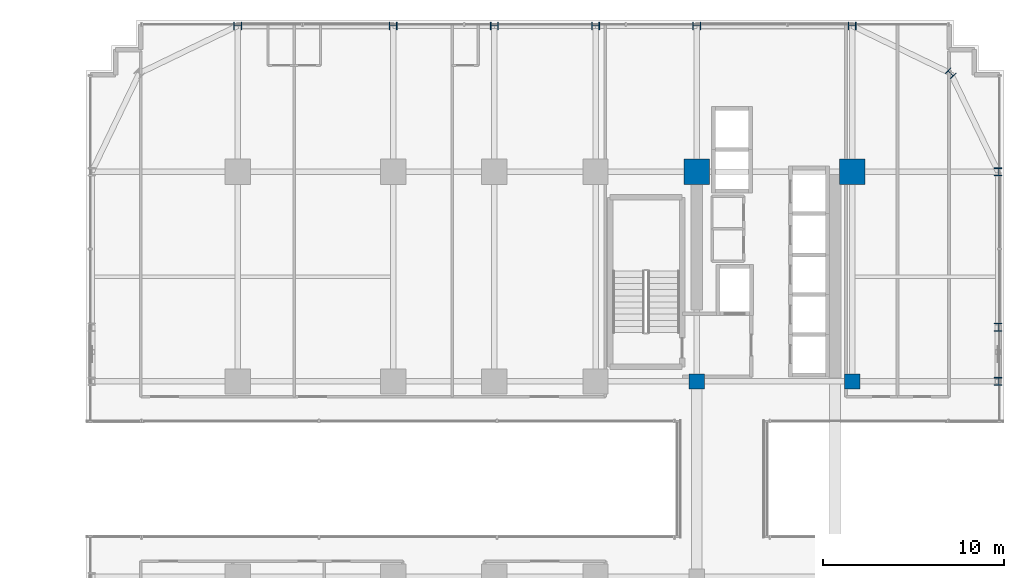
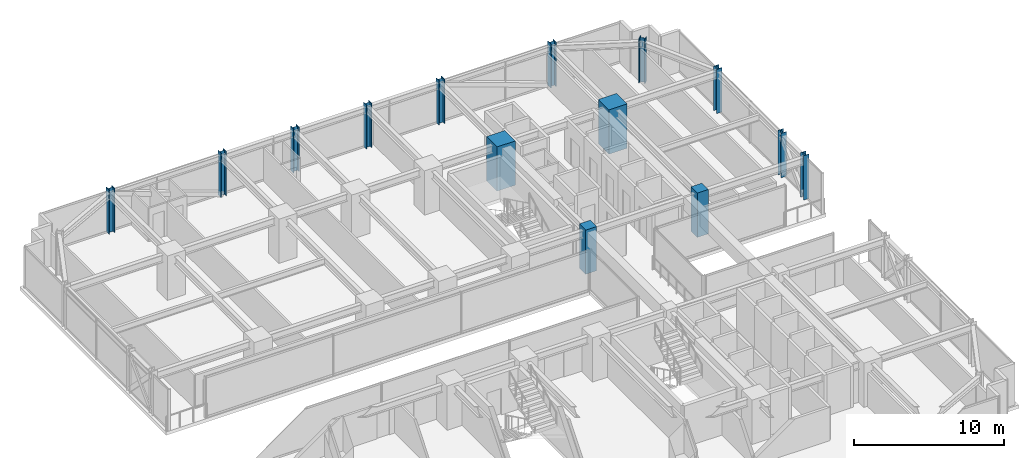
# One storey, part 2 of 38: 14 columns.
"""IFC4 building model written with IfcOpenShell, lengths in metres."""

from ifc_helpers import new_model, si_unit, direction, frame, origin, origin_2d, place, context, subcontext, project, spatial, rectangle, i_section, extrude, source, transform, mapped, material, material_profile, profile_set, type_object, element, save


model = new_model("IFC4")

# Units and contexts
model_context = context("Model", 3, precision=1e-05, world=origin(), true_north=direction((0.0, 1.0)))
body_context = subcontext(model_context, "Body", "Model", "MODEL_VIEW")
ifc_project = project(units=[si_unit("LENGTHUNIT", "METRE"), si_unit("AREAUNIT", "SQUARE_METRE"), si_unit("VOLUMEUNIT", "CUBIC_METRE"), si_unit("PLANEANGLEUNIT", "RADIAN"), si_unit("MASSUNIT", "GRAM", prefix="KILO")], contexts=[model_context])

# Site, building, storey
site_placement = place(None, origin())
site = spatial("IfcSite", under=ifc_project, at=site_placement, CompositionType="ELEMENT")
building_placement = place(site_placement, origin())
building = spatial("IfcBuilding", under=site, at=building_placement, Name="Nahalor Promenade Grand Hotel", CompositionType="ELEMENT")
storey_placement = place(building_placement, frame((0.0, 0.0, 50.64990234375)))
storey = spatial("IfcBuildingStorey", under=building, at=storey_placement, Name="L11", CompositionType="ELEMENT", Elevation=50.64990234375)

# Columns
ifc_material_1 = material(Name="Concrete B-70 (C60/75)", Category="concrete")
ifc_material_profile_1 = material_profile(ifc_material_1, rectangle(XDim=1.4, YDim=1.4, at=origin_2d()), Name="RC 1400x1400")
ifc_profile_set_1 = profile_set([ifc_material_profile_1], Name="Concrete B-70 (C60/75)")
column_type_1 = type_object("IfcColumnType", Name="Col-RC-1400", PredefinedType="COLUMN", material=ifc_profile_set_1)
shared_shape_1 = source(origin(), body_context, "Body", "SweptSolid", [
    extrude(rectangle(XDim=1.4, YDim=1.4, at=origin_2d()), origin(), (0.0, 0.0, 1.0), 3.60498046875),
])
for number, where, z_axis, x_axis, name in (
    (1, (8.39990234375, 17.0, 0.0), (0.0, 0.0, 1.0), (1.0, 0.0, 0.0), "COL-L11-I43"),
    (2, (17.0, 17.0, 0.0), (0.0, 0.0, 1.0), (1.0, 0.0, 0.0), "COL-L11-I53"),
):
    element("IfcColumn", number, at=place(storey_placement, frame(where, z_axis=z_axis, x_axis=x_axis)), inside=storey, type_object=column_type_1, Name=name, PredefinedType="COLUMN", context=body_context, shape_type="MappedRepresentation", body=[
        mapped(shared_shape_1, transform((0.0, 0.0, 0.0), scale=1.0)),
    ])
ifc_material_profile_2 = material_profile(ifc_material_1, rectangle(XDim=0.85, YDim=0.85, at=origin_2d()), Name="RC 850x850")
ifc_profile_set_2 = profile_set([ifc_material_profile_2], Name="Concrete B-70 (C60/75)")
column_type_2 = type_object("IfcColumnType", Name="Col-Pilaster-850", PredefinedType="PILASTER", material=ifc_profile_set_2)
shared_shape_2 = source(origin(), body_context, "Body", "SweptSolid", [
    extrude(rectangle(XDim=0.85, YDim=0.85, at=origin_2d()), origin(), (0.0, 0.0, 1.0), 3.60498046875),
])
for number, where, z_axis, x_axis, name in (
    (3, (8.39990234375, 5.39990234375, 0.0), (0.0, 0.0, 1.0), (1.0, 0.0, 0.0), "COL-L11-I42"),
    (4, (17.0, 5.39990234375, 0.0), (0.0, 0.0, 1.0), (1.0, 0.0, 0.0), "COL-L11-I52"),
):
    element("IfcColumn", number, at=place(storey_placement, frame(where, z_axis=z_axis, x_axis=x_axis)), inside=storey, type_object=column_type_2, Name=name, PredefinedType="PILASTER", context=body_context, shape_type="MappedRepresentation", body=[
        mapped(shared_shape_2, transform((0.0, 0.0, 0.0), scale=1.0)),
    ])
ifc_material_2 = material(Name="Steel S355J2", Category="steel")
ifc_material_profile_3 = material_profile(ifc_material_2, i_section(OverallWidth=0.412, OverallDepth=0.438, WebThickness=0.0226, FlangeThickness=0.0365, at=origin_2d()), Name="HD 400x463")
ifc_profile_set_3 = profile_set([ifc_material_profile_3], Name="Steel S355J2")
column_type_3 = type_object("IfcColumnType", Name="Col-Steel-HD463", PredefinedType="COLUMN", material=ifc_profile_set_3)
shared_shape_3 = source(origin(), body_context, "Body", "SweptSolid", [
    extrude(i_section(OverallWidth=0.412, OverallDepth=0.438, WebThickness=0.0226, FlangeThickness=0.0365, at=origin_2d()), origin(), (0.0, 0.0, 1.0), 3.60498046875),
])
for number, where, z_axis, x_axis, name in (
    (5, (25.080078125, 5.39990234375, 0.0), (0.0, 0.0, 1.0), (1.0, 0.0, 0.0), "COL-L11-PW-E3"),
    (6, (25.080078125, 8.39990234375, 0.0), (0.0, 0.0, 1.0), (1.0, 0.0, 0.0), "COL-L11-PW-E4"),
    (7, (25.080078125, 17.0, 0.0), (0.0, 0.0, 1.0), (1.0, 0.0, 0.0), "COL-L11-PW-E5"),
    (8, (-17.0, 25.080078125, 0.0), (0.0, 0.0, 1.0), (0.0, 1.0, 0.0), "COL-L11-PN-N0"),
    (9, (-8.39990234375, 25.080078125, 0.0), (0.0, 0.0, 1.0), (0.0, 1.0, 0.0), "COL-L11-PN-N1"),
    (10, (-2.800048828125, 25.080078125, 0.0), (0.0, 0.0, 1.0), (0.0, 1.0, 0.0), "COL-L11-PN-N2"),
    (11, (2.800048828125, 25.080078125, 0.0), (0.0, 0.0, 1.0), (0.0, 1.0, 0.0), "COL-L11-PN-N3"),
    (12, (8.39990234375, 25.080078125, 0.0), (0.0, 0.0, 1.0), (0.0, 1.0, 0.0), "COL-L11-PN-N4"),
    (13, (17.0, 25.080078125, 0.0), (0.0, 0.0, 1.0), (0.0, 1.0, 0.0), "COL-L11-PN-N5"),
    (14, (22.449951171875, 22.449951171875, 0.0), (0.0, 0.0, 1.0), (0.707106781187, 0.707106781187, 0.0), "COL-L11-CRN-NE"),
):
    element("IfcColumn", number, at=place(storey_placement, frame(where, z_axis=z_axis, x_axis=x_axis)), inside=storey, type_object=column_type_3, Name=name, PredefinedType="COLUMN", context=body_context, shape_type="MappedRepresentation", body=[
        mapped(shared_shape_3, transform((0.0, 0.0, 0.0), scale=1.0)),
    ])

save(model, "model.ifc")
